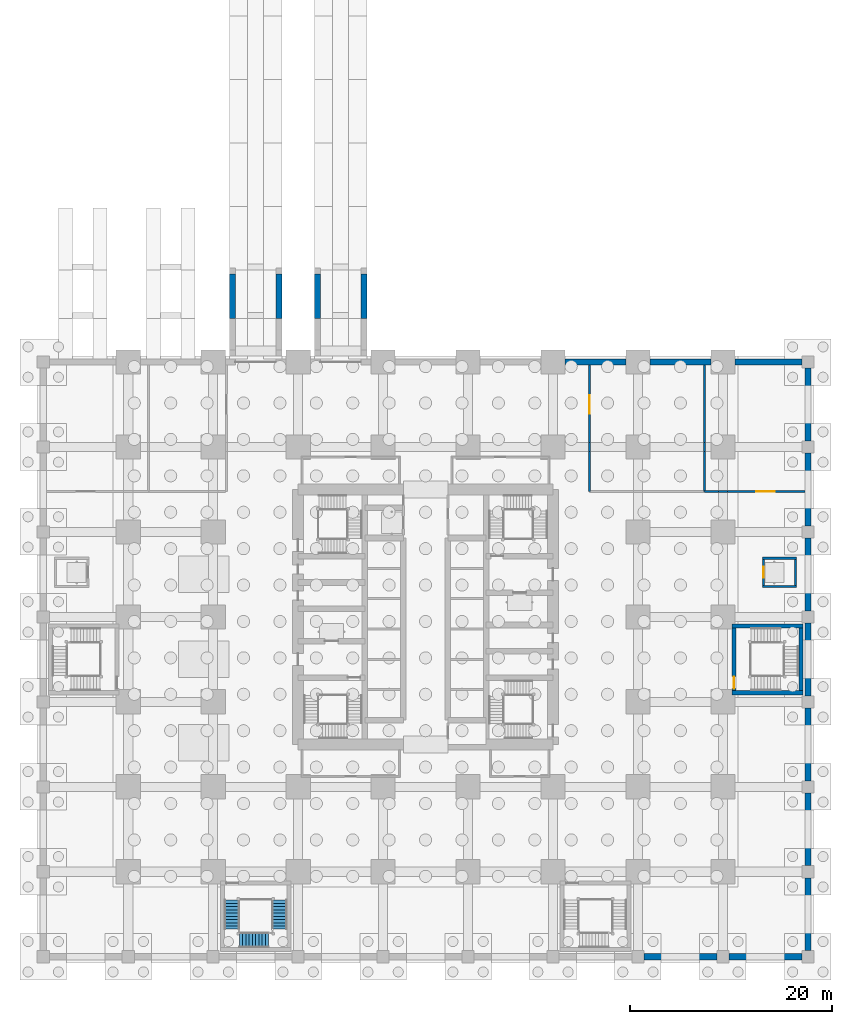
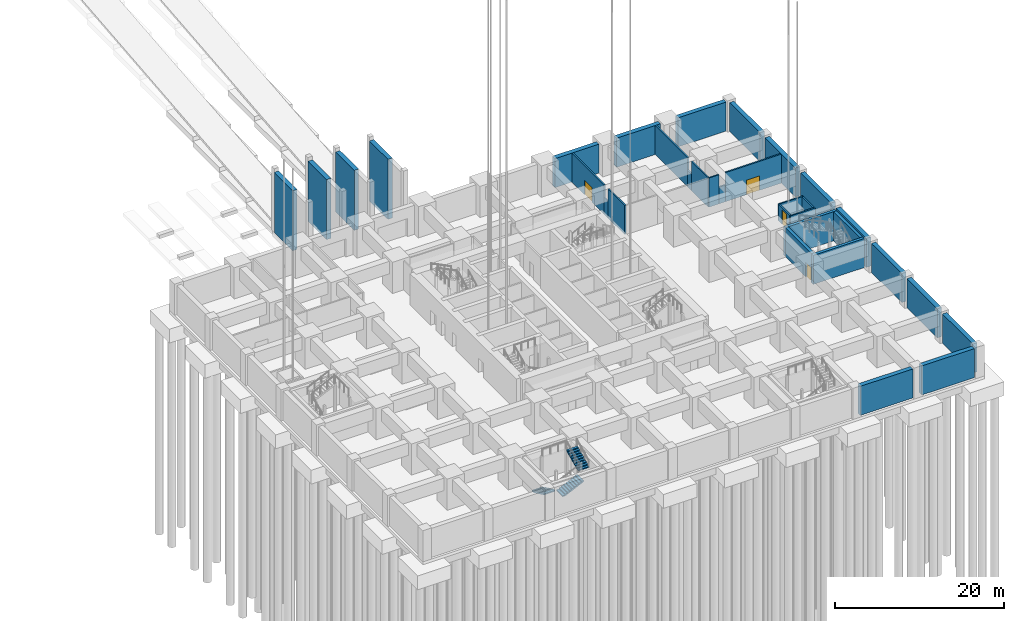
# One storey, part 10 of 28: 33 walls, 4 doors, 3 stair flights, 4 openings, 1 element without a shape of its own.
"""IFC4 building model written with IfcOpenShell, lengths in metres."""

from ifc_helpers import new_model, si_unit, direction, frame, frame_2d, origin, place, context, subcontext, project, spatial, polyline, rectangle, outline, extrude, material, layer, layer_set, type_object, element, fill, aggregate, save


model = new_model("IFC4")

# Units and contexts
model_context = context("Model", 3, precision=1e-05, world=origin(), true_north=direction((0.0, 1.0)))
body_context = subcontext(model_context, "Body", "Model", "MODEL_VIEW")
ifc_project = project(units=[si_unit("LENGTHUNIT", "METRE"), si_unit("AREAUNIT", "SQUARE_METRE"), si_unit("VOLUMEUNIT", "CUBIC_METRE"), si_unit("PLANEANGLEUNIT", "RADIAN"), si_unit("MASSUNIT", "GRAM", prefix="KILO")], contexts=[model_context])

# Site, building, storey
site_placement = place(None, origin())
site = spatial("IfcSite", under=ifc_project, at=site_placement, CompositionType="ELEMENT")
building_placement = place(site_placement, origin())
building = spatial("IfcBuilding", under=site, at=building_placement, Name="Rekha Terrace Tower", CompositionType="ELEMENT")
storey_placement = place(building_placement, frame((0.0, 0.0, -9.89990234375)))
storey = spatial("IfcBuildingStorey", under=building, at=storey_placement, Name="B-02", CompositionType="ELEMENT", Elevation=-9.89990234375)

# Walls
ifc_material_1 = material(Name="Concrete M40", Category="concrete")
ifc_layer_1 = layer(ifc_material_1, 0.60009765625)
ifc_layer_set_1 = layer_set([ifc_layer_1], Name="Concrete M40")
wall_type_1 = type_object("IfcWallType", Name="RW1 600 basement retaining wall", PredefinedType="SOLIDWALL", material=ifc_layer_set_1)
wall_1_placement = place(storey_placement, frame((59.39990234375, 0.0, 0.0), z_axis=(0.0, 0.0, 1.0), x_axis=(1.0, 0.0, 0.0)))
element("IfcWall", 1, at=wall_1_placement, inside=storey, type_object=wall_type_1, Name="Basement retaining wall RW1 8A-9A B-02", PredefinedType="SOLIDWALL", context=body_context, shape_type="SweptSolid", body=[
    extrude(rectangle(XDim=7.2001953125, YDim=0.60009765625, at=frame_2d((3.60009765625, 0.0))), origin(), (0.0, 0.0, 1.0), 4.199951171875),
])
wall_2_placement = place(storey_placement, frame((67.800048828125, 0.0, 0.0), z_axis=(0.0, 0.0, 1.0), x_axis=(1.0, 0.0, 0.0)))
element("IfcWall", 2, at=wall_2_placement, inside=storey, type_object=wall_type_1, Name="Basement retaining wall RW1 9A-10A B-02", PredefinedType="SOLIDWALL", context=body_context, shape_type="SweptSolid", body=[
    extrude(rectangle(XDim=7.199951171875, YDim=0.60009765625, at=frame_2d((3.60009765625, 0.0))), origin(), (0.0, 0.0, 1.0), 4.199951171875),
])
for number, where, z_axis, x_axis, name in (
    (3, (51.60009765625, 58.800048828125, 0.0), (0.0, 0.0, 1.0), (1.0, 0.0, 0.0), "Basement retaining wall RW1 7H-8H B-02"),
    (4, (60.0, 58.800048828125, 0.0), (0.0, 0.0, 1.0), (1.0, 0.0, 0.0), "Basement retaining wall RW1 8H-9H B-02"),
):
    element("IfcWall", number, at=place(storey_placement, frame(where, z_axis=z_axis, x_axis=x_axis)), inside=storey, type_object=wall_type_1, Name=name, PredefinedType="SOLIDWALL", context=body_context, shape_type="SweptSolid", body=[
        extrude(rectangle(XDim=6.0, YDim=0.60009765625, at=frame_2d((3.0, 0.0))), origin(), (0.0, 0.0, 1.0), 4.199951171875),
    ])
wall_3_placement = place(storey_placement, frame((68.39990234375, 58.800048828125, 0.0), z_axis=(0.0, 0.0, 1.0), x_axis=(1.0, 0.0, 0.0)))
element("IfcWall", 5, at=wall_3_placement, inside=storey, type_object=wall_type_1, Name="Basement retaining wall RW1 9H-10H B-02", PredefinedType="SOLIDWALL", context=body_context, shape_type="SweptSolid", body=[
    extrude(rectangle(XDim=6.60009765625, YDim=0.60009765625, at=frame_2d((3.300048828125, 0.0))), origin(), (0.0, 0.0, 1.0), 4.199951171875),
])
for number, where, z_axis, x_axis, name in (
    (6, (75.60009765625, 0.60009765625, 0.0), (0.0, 0.0, 1.0), (0.0, 1.0, 0.0), "Basement retaining wall RW1 10A-10B B-02"),
    (7, (75.60009765625, 9.0, 0.0), (0.0, 0.0, 1.0), (0.0, 1.0, 0.0), "Basement retaining wall RW1 10B-10C B-02"),
):
    element("IfcWall", number, at=place(storey_placement, frame(where, z_axis=z_axis, x_axis=x_axis)), inside=storey, type_object=wall_type_1, Name=name, PredefinedType="SOLIDWALL", context=body_context, shape_type="SweptSolid", body=[
        extrude(rectangle(XDim=7.199951171875, YDim=0.60009765625, at=frame_2d((3.60009765625, 0.0))), origin(), (0.0, 0.0, 1.0), 4.199951171875),
    ])
wall_4_placement = place(storey_placement, frame((75.60009765625, 17.39990234375, 0.0), z_axis=(0.0, 0.0, 1.0), x_axis=(0.0, 1.0, 0.0)))
element("IfcWall", 8, at=wall_4_placement, inside=storey, type_object=wall_type_1, Name="Basement retaining wall RW1 10C-10D B-02", PredefinedType="SOLIDWALL", context=body_context, shape_type="SweptSolid", body=[
    extrude(rectangle(XDim=7.2001953125, YDim=0.60009765625, at=frame_2d((3.60009765625, 0.0))), origin(), (0.0, 0.0, 1.0), 4.199951171875),
])
for number, where, z_axis, x_axis, name in (
    (9, (75.60009765625, 25.800048828125, 0.0), (0.0, 0.0, 1.0), (0.0, 1.0, 0.0), "Basement retaining wall RW1 10D-10E B-02"),
    (10, (75.60009765625, 34.199951171875, 0.0), (0.0, 0.0, 1.0), (0.0, 1.0, 0.0), "Basement retaining wall RW1 10E-10F B-02"),
    (11, (75.60009765625, 42.60009765625, 0.0), (0.0, 0.0, 1.0), (0.0, 1.0, 0.0), "Basement retaining wall RW1 10F-10G B-02"),
    (12, (75.60009765625, 51.0, 0.0), (0.0, 0.0, 1.0), (0.0, 1.0, 0.0), "Basement retaining wall RW1 10G-10H B-02"),
):
    element("IfcWall", number, at=place(storey_placement, frame(where, z_axis=z_axis, x_axis=x_axis)), inside=storey, type_object=wall_type_1, Name=name, PredefinedType="SOLIDWALL", context=body_context, shape_type="SweptSolid", body=[
        extrude(rectangle(XDim=7.199951171875, YDim=0.60009765625, at=frame_2d((3.60009765625, 0.0))), origin(), (0.0, 0.0, 1.0), 4.199951171875),
    ])
ifc_layer_2 = layer(ifc_material_1, 0.60009765625)
ifc_layer_set_2 = layer_set([ifc_layer_2], Name="Concrete M40")
wall_type_2 = type_object("IfcWallType", Name="RW4 600 ramp retaining wall", PredefinedType="SOLIDWALL", material=ifc_layer_set_2)
for number, where, z_axis, x_axis, name in (
    (13, (18.699951171875, 63.10009765625, -0.300048828125), (0.0, 0.0, 1.0), (0.0, 1.0, 0.0), "Ramp 3 kerb wall RW4 W2"),
    (14, (23.300048828125, 63.10009765625, -0.300048828125), (0.0, 0.0, 1.0), (0.0, 1.0, 0.0), "Ramp 3 kerb wall RW4 E2"),
    (15, (27.10009765625, 63.10009765625, -0.300048828125), (0.0, 0.0, 1.0), (0.0, 1.0, 0.0), "Ramp 4 kerb wall RW4 W2"),
    (16, (31.699951171875, 63.10009765625, -0.300048828125), (0.0, 0.0, 1.0), (0.0, 1.0, 0.0), "Ramp 4 kerb wall RW4 E2"),
):
    element("IfcWall", number, at=place(storey_placement, frame(where, z_axis=z_axis, x_axis=x_axis)), inside=storey, type_object=wall_type_2, Name=name, PredefinedType="SOLIDWALL", context=body_context, shape_type="SweptSolid", body=[
        extrude(rectangle(XDim=4.39990234375, YDim=0.60009765625, at=frame_2d((2.199951171875, 0.0))), origin(), (0.0, 0.0, 1.0), 8.679931640625),
    ])
ifc_material_2 = material(Name="Solid concrete block masonry, 2 hour", Category="masonry")
ifc_layer_3 = layer(ifc_material_2, 0.199951171875)
ifc_layer_set_3 = layer_set([ifc_layer_3], Name="Solid concrete block masonry, 2 hour")
wall_type_3 = type_object("IfcWallType", Name="WP1 200 plant room wall", PredefinedType="PARTITIONING", material=ifc_layer_set_3)
wall_5_placement = place(storey_placement, frame((54.0, 46.0, 0.0), z_axis=(0.0, 0.0, 1.0), x_axis=(0.0, 1.0, 0.0)))
element("IfcWall", 17, at=wall_5_placement, inside=storey, type_object=wall_type_3, Name="Partition B-02-04", PredefinedType="PARTITIONING", context=body_context, shape_type="SweptSolid", body=[
    extrude(rectangle(XDim=3.93994140625, YDim=0.199951171875, at=frame_2d((1.969970703125, 0.0))), origin(), (0.0, 0.0, 1.0), 4.199951171875),
])
wall_6_placement = place(storey_placement, frame((54.0, 49.93994140625, 0.0), z_axis=(0.0, 0.0, 1.0), x_axis=(0.0, 1.0, 0.0)))
element("IfcWall", 18, at=wall_6_placement, inside=storey, type_object=wall_type_3, Name="Partition B-02-04", PredefinedType="PARTITIONING", context=body_context, shape_type="SweptSolid", body=[
    extrude(rectangle(XDim=0.920166015625, YDim=0.199951171875, at=frame_2d((0.4599609375, 0.0))), origin(), (0.0, 0.0, 1.0), 2.39990234375),
])

# Wall, opening, door
wall_7_placement = place(storey_placement, frame((54.0, 50.860107421875, 0.0), z_axis=(0.0, 0.0, 1.0), x_axis=(0.0, 1.0, 0.0)))
wall_7 = element("IfcWall", 19, at=wall_7_placement, inside=storey, type_object=wall_type_3, Name="Partition B-02-04", PredefinedType="PARTITIONING", context=body_context, shape_type="SweptSolid", body=[
    extrude(rectangle(XDim=7.639892578125, YDim=0.199951171875, at=frame_2d((3.81982421875, 0.0))), origin(), (0.0, 0.0, 1.0), 4.199951171875),
])
opening_1_placement = place(wall_7_placement, frame((2.844970703125, 0.0, 0.0)))
opening_1 = element("IfcOpeningElement", 20, at=opening_1_placement, cuts=wall_7, Name="Opening D6", PredefinedType="OPENING", context=body_context, shape_type="SweptSolid", body=[
    extrude(rectangle(XDim=1.800048828125, YDim=2.10009765625, at=frame_2d((0.89990234375, 1.050048828125))), frame((0.0, 0.10986328125, 0.0), z_axis=(0.0, -1.0, 0.0), x_axis=(1.0, 0.0, 0.0)), (0.0, 0.0, 1.0), 0.219970703125),
])
ifc_material_3 = material(Name="Steel fire door", Category="steel")
door_type_1 = type_object("IfcDoorType", Name="D6 1800x2100 plant room double door", OperationType="DOUBLE_DOOR_SINGLE_SWING", PredefinedType="DOOR", material=ifc_material_3)
door_1_placement = place(opening_1_placement, origin())
door_1 = element("IfcDoor", 21, at=door_1_placement, inside=storey, type_object=door_type_1, Name="Door transformer room B-02", OperationType="DOUBLE_DOOR_SINGLE_SWING", OverallHeight=2.10009765625, OverallWidth=1.800048828125, PredefinedType="DOOR", context=body_context, shape_type="SweptSolid", body=[
    extrude(rectangle(XDim=1.800048828125, YDim=2.10009765625, at=frame_2d((0.89990234375, 1.050048828125))), frame((0.0, 0.02490234375, 0.0), z_axis=(0.0, -1.0, 0.0), x_axis=(1.0, 0.0, 0.0)), (0.0, 0.0, 1.0), 0.050048828125),
])
fill(opening_1, door_1)

# Walls
wall_8_placement = place(storey_placement, frame((65.39990234375, 58.5, 0.0), z_axis=(0.0, 0.0, 1.0), x_axis=(0.0, -1.0, 0.0)))
element("IfcWall", 22, at=wall_8_placement, inside=storey, type_object=wall_type_3, Name="Partition B-02-04", PredefinedType="PARTITIONING", context=body_context, shape_type="SweptSolid", body=[
    extrude(rectangle(XDim=7.639892578125, YDim=0.199951171875, at=frame_2d((3.81982421875, 0.0))), origin(), (0.0, 0.0, 1.0), 4.199951171875),
])
wall_9_placement = place(storey_placement, frame((65.39990234375, 50.860107421875, 0.0), z_axis=(0.0, 0.0, 1.0), x_axis=(0.0, -1.0, 0.0)))
element("IfcWall", 23, at=wall_9_placement, inside=storey, type_object=wall_type_3, Name="Partition B-02-04", PredefinedType="PARTITIONING", context=body_context, shape_type="SweptSolid", body=[
    extrude(rectangle(XDim=0.920166015625, YDim=0.199951171875, at=frame_2d((0.4599609375, 0.0))), origin(), (0.0, 0.0, 1.0), 2.39990234375),
])
wall_10_placement = place(storey_placement, frame((65.39990234375, 49.93994140625, 0.0), z_axis=(0.0, 0.0, 1.0), x_axis=(0.0, -1.0, 0.0)))
element("IfcWall", 24, at=wall_10_placement, inside=storey, type_object=wall_type_3, Name="Partition B-02-04", PredefinedType="PARTITIONING", context=body_context, shape_type="SweptSolid", body=[
    extrude(rectangle(XDim=3.93994140625, YDim=0.199951171875, at=frame_2d((1.969970703125, 0.0))), origin(), (0.0, 0.0, 1.0), 4.199951171875),
])

# Wall, opening, door
wall_11_placement = place(storey_placement, frame((75.300048828125, 46.0, 0.0), z_axis=(0.0, 0.0, 1.0), x_axis=(-1.0, 0.0, 0.0)))
wall_11 = element("IfcWall", 25, at=wall_11_placement, inside=storey, type_object=wall_type_3, Name="Partition B-02-05", PredefinedType="PARTITIONING", context=body_context, shape_type="SweptSolid", body=[
    extrude(rectangle(XDim=7.64013671875, YDim=0.199951171875, at=frame_2d((3.820068359375, 0.0))), origin(), (0.0, 0.0, 1.0), 4.199951171875),
])
opening_2_placement = place(wall_11_placement, frame((2.9951171875, 0.0, 0.0)))
opening_2 = element("IfcOpeningElement", 26, at=opening_2_placement, cuts=wall_11, Name="Opening D6", PredefinedType="OPENING", context=body_context, shape_type="SweptSolid", body=[
    extrude(rectangle(XDim=1.800048828125, YDim=2.10009765625, at=frame_2d((0.89990234375, 1.050048828125))), frame((0.0, 0.10986328125, 0.0), z_axis=(0.0, -1.0, 0.0), x_axis=(1.0, 0.0, 0.0)), (0.0, 0.0, 1.0), 0.219970703125),
])
door_2_placement = place(opening_2_placement, origin())
door_2 = element("IfcDoor", 27, at=door_2_placement, inside=storey, type_object=door_type_1, Name="Door generator room B-02", OperationType="DOUBLE_DOOR_SINGLE_SWING", OverallHeight=2.10009765625, OverallWidth=1.800048828125, PredefinedType="DOOR", context=body_context, shape_type="SweptSolid", body=[
    extrude(rectangle(XDim=1.800048828125, YDim=2.10009765625, at=frame_2d((0.89990234375, 1.050048828125))), frame((0.0, 0.02490234375, 0.0), z_axis=(0.0, -1.0, 0.0), x_axis=(1.0, 0.0, 0.0)), (0.0, 0.0, 1.0), 0.050048828125),
])
fill(opening_2, door_2)

# Walls
wall_12_placement = place(storey_placement, frame((67.659912109375, 46.0, 0.0), z_axis=(0.0, 0.0, 1.0), x_axis=(-1.0, 0.0, 0.0)))
element("IfcWall", 28, at=wall_12_placement, inside=storey, type_object=wall_type_3, Name="Partition B-02-05", PredefinedType="PARTITIONING", context=body_context, shape_type="SweptSolid", body=[
    extrude(rectangle(XDim=0.919921875, YDim=0.199951171875, at=frame_2d((0.4599609375, 0.0))), origin(), (0.0, 0.0, 1.0), 2.39990234375),
])
wall_13_placement = place(storey_placement, frame((66.739990234375, 46.0, 0.0), z_axis=(0.0, 0.0, 1.0), x_axis=(-1.0, 0.0, 0.0)))
element("IfcWall", 29, at=wall_13_placement, inside=storey, type_object=wall_type_3, Name="Partition B-02-05", PredefinedType="PARTITIONING", context=body_context, shape_type="SweptSolid", body=[
    extrude(rectangle(XDim=1.340087890625, YDim=0.199951171875, at=frame_2d((0.669921875, 0.0))), origin(), (0.0, 0.0, 1.0), 4.199951171875),
])
ifc_layer_4 = layer(ifc_material_2, 0.199951171875)
ifc_layer_set_4 = layer_set([ifc_layer_4], Name="Solid concrete block masonry, 2 hour")
wall_type_4 = type_object("IfcWallType", Name="WS1 200 stair and shaft enclosure", PredefinedType="PARTITIONING", material=ifc_layer_set_4)
for number, where, z_axis, x_axis, name in (
    (30, (71.10009765625, 36.60009765625, 0.0), (0.0, 0.0, 1.0), (1.0, 0.0, 0.0), "Lift PL2 shaft south wall"),
    (31, (71.10009765625, 39.39990234375, 0.0), (0.0, 0.0, 1.0), (1.0, 0.0, 0.0), "Lift PL2 shaft north wall"),
):
    element("IfcWall", number, at=place(storey_placement, frame(where, z_axis=z_axis, x_axis=x_axis)), inside=storey, type_object=wall_type_4, Name=name, PredefinedType="PARTITIONING", context=body_context, shape_type="SweptSolid", body=[
        extrude(rectangle(XDim=3.39990234375, YDim=0.199951171875, at=frame_2d((1.699951171875, 0.0))), origin(), (0.0, 0.0, 1.0), 2.39990234375),
    ])

# Wall, opening, door
wall_14_placement = place(storey_placement, frame((71.199951171875, 36.699951171875, 0.0), z_axis=(0.0, 0.0, 1.0), x_axis=(0.0, 1.0, 0.0)))
wall_14 = element("IfcWall", 32, at=wall_14_placement, inside=storey, type_object=wall_type_4, Name="Lift PL2 shaft west wall", PredefinedType="PARTITIONING", context=body_context, shape_type="SweptSolid", body=[
    extrude(rectangle(XDim=2.60009765625, YDim=0.199951171875, at=frame_2d((1.300048828125, 0.0))), origin(), (0.0, 0.0, 1.0), 2.39990234375),
])
opening_3_placement = place(wall_14_placement, frame((0.75, 0.0, 0.0)))
opening_3 = element("IfcOpeningElement", 33, at=opening_3_placement, cuts=wall_14, Name="Opening LD1", PredefinedType="OPENING", context=body_context, shape_type="SweptSolid", body=[
    extrude(rectangle(XDim=1.10009765625, YDim=2.10009765625, at=frame_2d((0.550048828125, 1.050048828125))), frame((0.0, 0.10986328125, 0.0), z_axis=(0.0, -1.0, 0.0), x_axis=(1.0, 0.0, 0.0)), (0.0, 0.0, 1.0), 0.219970703125),
])
ifc_material_4 = material(Name="Stainless steel sliding landing door", Category="steel")
door_type_2 = type_object("IfcDoorType", Name="LD1 1100x2100 lift landing door", OperationType="SLIDING_TO_LEFT", PredefinedType="USERDEFINED", material=ifc_material_4)
door_3_placement = place(opening_3_placement, origin())
door_3 = element("IfcDoor", 34, at=door_3_placement, inside=storey, type_object=door_type_2, Name="Lift PL2 landing door B-02", ObjectType="LIFT LANDING DOOR", OperationType="SLIDING_TO_LEFT", OverallHeight=2.10009765625, OverallWidth=1.10009765625, PredefinedType="USERDEFINED", context=body_context, shape_type="SweptSolid", body=[
    extrude(rectangle(XDim=1.10009765625, YDim=2.10009765625, at=frame_2d((0.550048828125, 1.050048828125))), frame((0.0, 0.02490234375, 0.0), z_axis=(0.0, -1.0, 0.0), x_axis=(1.0, 0.0, 0.0)), (0.0, 0.0, 1.0), 0.050048828125),
])
fill(opening_3, door_3)

# Walls
wall_15_placement = place(storey_placement, frame((74.39990234375, 36.699951171875, 0.0), z_axis=(0.0, 0.0, 1.0), x_axis=(0.0, 1.0, 0.0)))
element("IfcWall", 35, at=wall_15_placement, inside=storey, type_object=wall_type_4, Name="Lift PL2 shaft east wall", PredefinedType="PARTITIONING", context=body_context, shape_type="SweptSolid", body=[
    extrude(rectangle(XDim=2.60009765625, YDim=0.199951171875, at=frame_2d((1.300048828125, 0.0))), origin(), (0.0, 0.0, 1.0), 2.39990234375),
])
ifc_material_5 = material(Name="Concrete M60", Category="concrete")
ifc_layer_5 = layer(ifc_material_5, 0.39990234375)
ifc_layer_set_5 = layer_set([ifc_layer_5], Name="Concrete M60")
wall_type_5 = type_object("IfcWallType", Name="WS3 400 RC podium stair wall", PredefinedType="SOLIDWALL", material=ifc_layer_set_5)
for number, where, z_axis, x_axis, name in (
    (36, (68.10009765625, 26.10009765625, 0.0), (0.0, 0.0, 1.0), (1.0, 0.0, 0.0), "Stair SP2 south wall"),
    (37, (68.10009765625, 32.699951171875, 0.0), (0.0, 0.0, 1.0), (1.0, 0.0, 0.0), "Stair SP2 north wall"),
):
    element("IfcWall", number, at=place(storey_placement, frame(where, z_axis=z_axis, x_axis=x_axis)), inside=storey, type_object=wall_type_5, Name=name, PredefinedType="SOLIDWALL", context=body_context, shape_type="SweptSolid", body=[
        extrude(rectangle(XDim=7.0, YDim=0.39990234375, at=frame_2d((3.5, 0.0))), origin(), (0.0, 0.0, 1.0), 4.199951171875),
    ])

# Wall, opening, door
wall_16_placement = place(storey_placement, frame((68.300048828125, 26.300048828125, 0.0), z_axis=(0.0, 0.0, 1.0), x_axis=(0.0, 1.0, 0.0)))
wall_16 = element("IfcWall", 38, at=wall_16_placement, inside=storey, type_object=wall_type_5, Name="Stair SP2 west wall", PredefinedType="SOLIDWALL", context=body_context, shape_type="SweptSolid", body=[
    extrude(rectangle(XDim=6.199951171875, YDim=0.39990234375, at=frame_2d((3.10009765625, 0.0))), origin(), (0.0, 0.0, 1.0), 4.199951171875),
])
opening_4_placement = place(wall_16_placement, frame((0.199951171875, 0.0, 0.0)))
opening_4 = element("IfcOpeningElement", 39, at=opening_4_placement, cuts=wall_16, Name="Opening D1", PredefinedType="OPENING", context=body_context, shape_type="SweptSolid", body=[
    extrude(rectangle(XDim=1.199951171875, YDim=2.10009765625, at=frame_2d((0.60009765625, 1.050048828125))), frame((0.0, 0.2099609375, 0.0), z_axis=(0.0, -1.0, 0.0), x_axis=(1.0, 0.0, 0.0)), (0.0, 0.0, 1.0), 0.419921875),
])
door_type_3 = type_object("IfcDoorType", Name="D1 1200x2100 stair fire door", OperationType="SINGLE_SWING_RIGHT", PredefinedType="DOOR", material=ifc_material_3)
door_4_placement = place(opening_4_placement, origin())
door_4 = element("IfcDoor", 40, at=door_4_placement, inside=storey, type_object=door_type_3, Name="Stair SP2 door B-02", OperationType="SINGLE_SWING_RIGHT", OverallHeight=2.10009765625, OverallWidth=1.199951171875, PredefinedType="DOOR", context=body_context, shape_type="SweptSolid", body=[
    extrude(rectangle(XDim=1.199951171875, YDim=2.10009765625, at=frame_2d((0.60009765625, 1.050048828125))), frame((0.0, 0.02490234375, 0.0), z_axis=(0.0, -1.0, 0.0), x_axis=(1.0, 0.0, 0.0)), (0.0, 0.0, 1.0), 0.050048828125),
])
fill(opening_4, door_4)

# Wall
wall_17_placement = place(storey_placement, frame((74.89990234375, 26.300048828125, 0.0), z_axis=(0.0, 0.0, 1.0), x_axis=(0.0, 1.0, 0.0)))
element("IfcWall", 41, at=wall_17_placement, inside=storey, type_object=wall_type_5, Name="Stair SP2 east wall", PredefinedType="SOLIDWALL", context=body_context, shape_type="SweptSolid", body=[
    extrude(rectangle(XDim=6.199951171875, YDim=0.39990234375, at=frame_2d((3.10009765625, 0.0))), origin(), (0.0, 0.0, 1.0), 4.199951171875),
])

# Stair, stair flights
stair_type = type_object("IfcStairType", Name="ST30 stair, 30 risers of 150, going 320, 1500 wide flights, 3 flights", PredefinedType="HALF_TURN_STAIR", material=ifc_material_1)
stair_placement = place(storey_placement, origin())
stair = element("IfcStair", 42, at=stair_placement, inside=storey, type_object=stair_type, Name="Stair SP3 B-02 to B-01", PredefinedType="HALF_TURN_STAIR")
stair_flight_type = type_object("IfcStairFlightType", Name="SF10 stair flight, 10 risers of 150, going 320, 1500 wide", PredefinedType="STRAIGHT", material=ifc_material_1)
stair_flight_1_placement = place(storey_placement, frame((18.64990234375, 5.60009765625, 0.0), z_axis=(0.0, 0.0, 1.0), x_axis=(0.0, -1.0, 0.0)))
stair_flight_1 = element("IfcStairFlight", 43, at=stair_flight_1_placement, type_object=stair_flight_type, Name="SP3 flight 1", NumberOfRisers=10, NumberOfTreads=9, PredefinedType="STRAIGHT", RiserHeight=0.15, TreadLength=0.32, context=body_context, shape_type="SweptSolid", body=[
    extrude(outline(polyline([(0.0, 0.0), (0.0, 0.14990234375), (0.320068359375, 0.14990234375), (0.320068359375, 0.300048828125), (0.639892578125, 0.300048828125), (0.639892578125, 0.449951171875), (0.9599609375, 0.449951171875), (0.9599609375, 0.60009765625), (1.280029296875, 0.60009765625), (1.280029296875, 0.75), (1.60009765625, 0.75), (1.60009765625, 0.89990234375), (1.919921875, 0.89990234375), (1.919921875, 1.050048828125), (2.239990234375, 1.050048828125), (2.239990234375, 1.199951171875), (2.56005859375, 1.199951171875), (2.56005859375, 1.35009765625), (2.8798828125, 1.35009765625), (2.8798828125, 1.5), (2.8798828125, 1.184326171875), (0.353271484375, 0.0), (0.0, 0.0)])), frame((0.0, 0.75, 0.0), z_axis=(0.0, -1.0, 0.0), x_axis=(1.0, 0.0, 0.0)), (0.0, 0.0, 1.0), 1.5),
])
stair_flight_2_placement = place(storey_placement, frame((19.39990234375, 1.64990234375, 1.5), z_axis=(0.0, 0.0, 1.0), x_axis=(1.0, 0.0, 0.0)))
stair_flight_2 = element("IfcStairFlight", 44, at=stair_flight_2_placement, type_object=stair_flight_type, Name="SP3 flight 2", NumberOfRisers=10, NumberOfTreads=9, PredefinedType="STRAIGHT", RiserHeight=0.15, TreadLength=0.32, context=body_context, shape_type="SweptSolid", body=[
    extrude(outline(polyline([(0.0, 0.0), (0.0, 0.14990234375), (0.320068359375, 0.14990234375), (0.320068359375, 0.300048828125), (0.639892578125, 0.300048828125), (0.639892578125, 0.449951171875), (0.9599609375, 0.449951171875), (0.9599609375, 0.60009765625), (1.280029296875, 0.60009765625), (1.280029296875, 0.75), (1.60009765625, 0.75), (1.60009765625, 0.89990234375), (1.919921875, 0.89990234375), (1.919921875, 1.050048828125), (2.239990234375, 1.050048828125), (2.239990234375, 1.199951171875), (2.56005859375, 1.199951171875), (2.56005859375, 1.35009765625), (2.8798828125, 1.35009765625), (2.8798828125, 1.5), (2.8798828125, 1.184326171875), (0.353271484375, 0.0), (0.0, 0.0)])), frame((0.0, 0.75, 0.0), z_axis=(0.0, -1.0, 0.0), x_axis=(1.0, 0.0, 0.0)), (0.0, 0.0, 1.0), 1.5),
])
stair_flight_3_placement = place(storey_placement, frame((23.35009765625, 2.719970703125, 3.0), z_axis=(0.0, 0.0, 1.0), x_axis=(0.0, 1.0, 0.0)))
stair_flight_3 = element("IfcStairFlight", 45, at=stair_flight_3_placement, type_object=stair_flight_type, Name="SP3 flight 3", NumberOfRisers=10, NumberOfTreads=9, PredefinedType="STRAIGHT", RiserHeight=0.15, TreadLength=0.32, context=body_context, shape_type="SweptSolid", body=[
    extrude(outline(polyline([(0.0, 0.0), (0.0, 0.14990234375), (0.320068359375, 0.14990234375), (0.320068359375, 0.300048828125), (0.639892578125, 0.300048828125), (0.639892578125, 0.449951171875), (0.9599609375, 0.449951171875), (0.9599609375, 0.60009765625), (1.280029296875, 0.60009765625), (1.280029296875, 0.75), (1.60009765625, 0.75), (1.60009765625, 0.89990234375), (1.919921875, 0.89990234375), (1.919921875, 1.050048828125), (2.239990234375, 1.050048828125), (2.239990234375, 1.199951171875), (2.56005859375, 1.199951171875), (2.56005859375, 1.35009765625), (2.8798828125, 1.35009765625), (2.8798828125, 1.5), (2.8798828125, 1.184326171875), (0.353271484375, 0.0), (0.0, 0.0)])), frame((0.0, 0.75, 0.0), z_axis=(0.0, -1.0, 0.0), x_axis=(1.0, 0.0, 0.0)), (0.0, 0.0, 1.0), 1.5),
])
aggregate(stair, [stair_flight_1, stair_flight_2, stair_flight_3])

save(model, "model.ifc")
